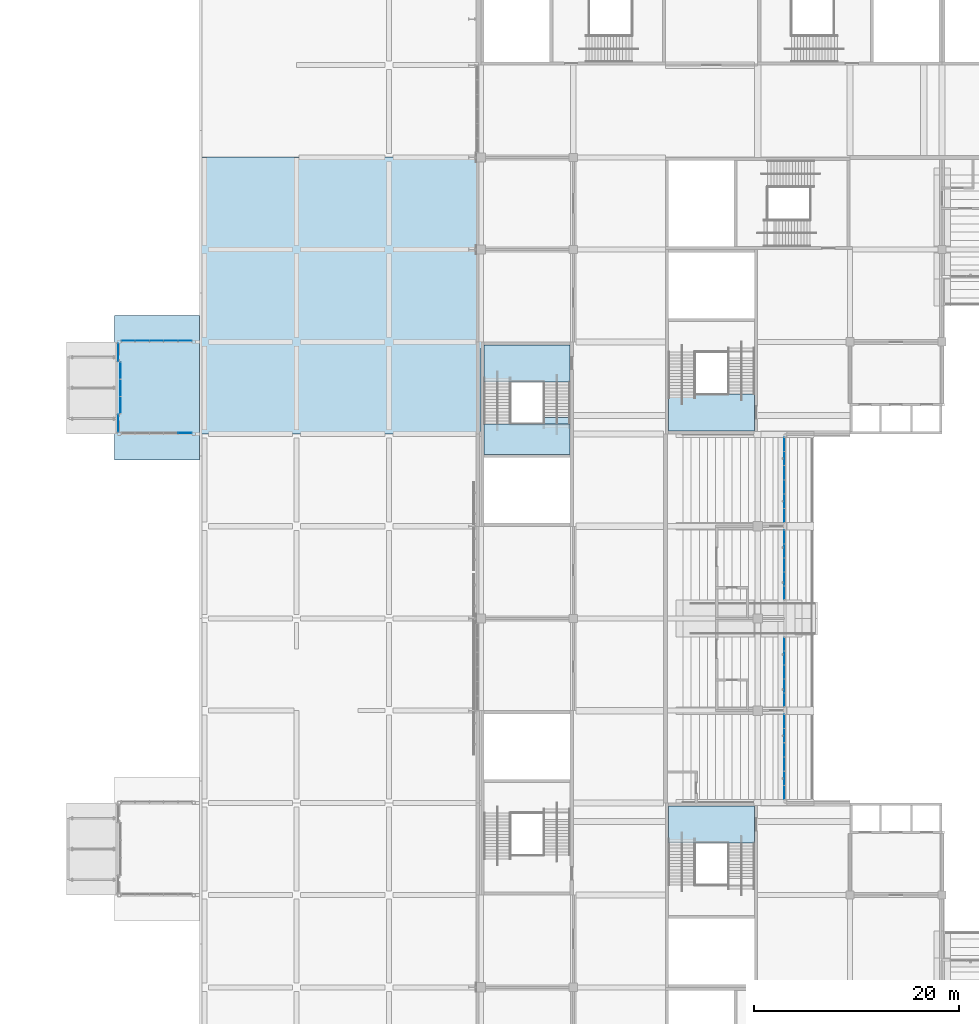
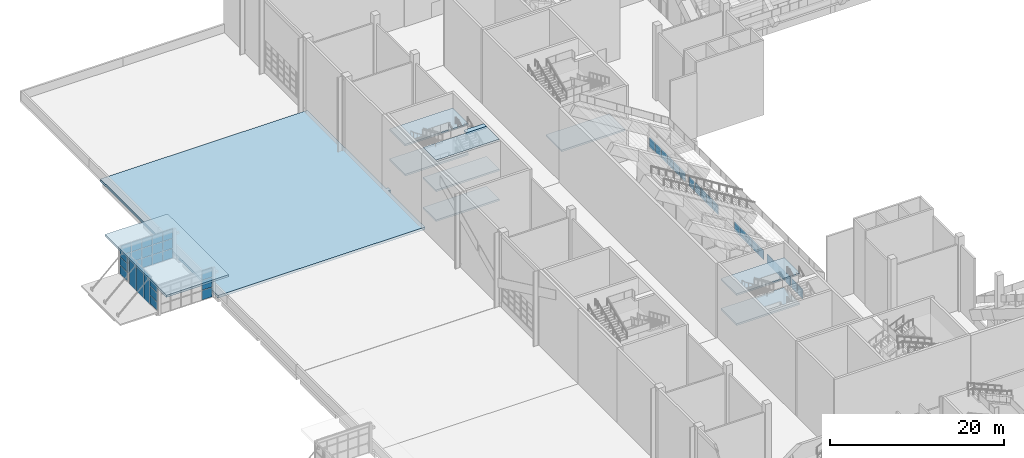
# One storey, part 70 of 182: 49 plates, 11 slabs, 12 elements without a shape of their own.
"""IFC4 building model written with IfcOpenShell, lengths in metres."""

from ifc_helpers import new_model, si_unit, direction, frame, origin, origin_2d, place, context, subcontext, project, spatial, polyline, rectangle, outline, extrude, material, layer, layer_set, type_object, element, aggregate, save


model = new_model("IFC4")

# Units and contexts
model_context = context("Model", 3, precision=1e-05, world=origin(), true_north=direction((0.0, 1.0)))
body_context = subcontext(model_context, "Body", "Model", "MODEL_VIEW")
ifc_project = project(units=[si_unit("LENGTHUNIT", "METRE"), si_unit("AREAUNIT", "SQUARE_METRE"), si_unit("VOLUMEUNIT", "CUBIC_METRE"), si_unit("PLANEANGLEUNIT", "RADIAN"), si_unit("MASSUNIT", "GRAM", prefix="KILO")], contexts=[model_context])

# Site, building, storey
site_placement = place(None, origin())
site = spatial("IfcSite", under=ifc_project, at=site_placement, CompositionType="ELEMENT")
building_placement = place(site_placement, origin())
building = spatial("IfcBuilding", under=site, at=building_placement, Name="Silverbay Arena", CompositionType="ELEMENT")
storey_placement = place(building_placement, frame((0.0, 0.0, 11.5)))
storey = spatial("IfcBuildingStorey", under=building, at=storey_placement, Name="L02", CompositionType="ELEMENT", Elevation=11.5)

# Curtain wall, plates
ifc_material_1 = material(Name="Fire-resisting glass", Category="glass")
curtain_wall_type_1 = type_object("IfcCurtainWallType", Name="Fire-resisting glazed screen EI 120 8350 x 1437", PredefinedType="NOTDEFINED", material=ifc_material_1)
curtain_wall_1_placement = place(storey_placement, origin())
curtain_wall_1 = element("IfcCurtainWall", 1, at=curtain_wall_1_placement, inside=storey, type_object=curtain_wall_type_1, Name="West suite front 1", PredefinedType="NOTDEFINED")
ifc_material_2 = material(Name="Laminated glass", Category="glass")
ifc_layer_1 = layer(ifc_material_2, 0.02392578125)
ifc_layer_set_1 = layer_set([ifc_layer_1], Name="Laminated glass")
plate_type_1 = type_object("IfcPlateType", Name="Glass panel 24", PredefinedType="CURTAIN_PANEL", material=ifc_layer_set_1)
plate_1_placement = place(storey_placement, frame((83.60009765625, 64.0107421875, 1.150146484375), z_axis=(0.0, 0.0, 1.0), x_axis=(0.0, 1.0, 0.0)))
plate_1 = element("IfcPlate", 2, at=plate_1_placement, type_object=plate_type_1, Name="CW20 panel 1.1", PredefinedType="CURTAIN_PANEL", context=body_context, shape_type="SweptSolid", body=[
    extrude(rectangle(XDim=1.3017578125, YDim=0.02392578125, at=origin_2d()), origin(), (0.0, 0.0, 1.0), 1.3369140625),
])
plate_2_placement = place(storey_placement, frame((83.60009765625, 65.387451171875, 1.150146484375), z_axis=(0.0, 0.0, 1.0), x_axis=(0.0, 1.0, 0.0)))
plate_2 = element("IfcPlate", 3, at=plate_2_placement, type_object=plate_type_1, Name="CW20 panel 2.1", PredefinedType="CURTAIN_PANEL", context=body_context, shape_type="SweptSolid", body=[
    extrude(rectangle(XDim=1.331787109375, YDim=0.02392578125, at=origin_2d()), origin(), (0.0, 0.0, 1.0), 1.3369140625),
])
plate_3_placement = place(storey_placement, frame((83.60009765625, 66.779052734375, 1.150146484375), z_axis=(0.0, 0.0, 1.0), x_axis=(0.0, 1.0, 0.0)))
plate_3 = element("IfcPlate", 4, at=plate_3_placement, type_object=plate_type_1, Name="CW20 panel 3.1", PredefinedType="CURTAIN_PANEL", context=body_context, shape_type="SweptSolid", body=[
    extrude(rectangle(XDim=1.331787109375, YDim=0.02392578125, at=origin_2d()), origin(), (0.0, 0.0, 1.0), 1.3369140625),
])
plate_4_placement = place(storey_placement, frame((83.60009765625, 68.1708984375, 1.150146484375), z_axis=(0.0, 0.0, 1.0), x_axis=(0.0, 1.0, 0.0)))
plate_4 = element("IfcPlate", 5, at=plate_4_placement, type_object=plate_type_1, Name="CW20 panel 4.1", PredefinedType="CURTAIN_PANEL", context=body_context, shape_type="SweptSolid", body=[
    extrude(rectangle(XDim=1.331787109375, YDim=0.02392578125, at=origin_2d()), origin(), (0.0, 0.0, 1.0), 1.3369140625),
])
plate_5_placement = place(storey_placement, frame((83.60009765625, 69.5625, 1.150146484375), z_axis=(0.0, 0.0, 1.0), x_axis=(0.0, 1.0, 0.0)))
plate_5 = element("IfcPlate", 6, at=plate_5_placement, type_object=plate_type_1, Name="CW20 panel 5.1", PredefinedType="CURTAIN_PANEL", context=body_context, shape_type="SweptSolid", body=[
    extrude(rectangle(XDim=1.331787109375, YDim=0.02392578125, at=origin_2d()), origin(), (0.0, 0.0, 1.0), 1.3369140625),
])
plate_6_placement = place(storey_placement, frame((83.60009765625, 70.939208984375, 1.150146484375), z_axis=(0.0, 0.0, 1.0), x_axis=(0.0, 1.0, 0.0)))
plate_6 = element("IfcPlate", 7, at=plate_6_placement, type_object=plate_type_1, Name="CW20 panel 6.1", PredefinedType="CURTAIN_PANEL", context=body_context, shape_type="SweptSolid", body=[
    extrude(rectangle(XDim=1.3017578125, YDim=0.02392578125, at=origin_2d()), origin(), (0.0, 0.0, 1.0), 1.3369140625),
])
aggregate(curtain_wall_1, [plate_1, plate_2, plate_3, plate_4, plate_5, plate_6])

ifc_material_3 = material(Name="Fire-resisting glass", Category="glass")
curtain_wall_type_2 = type_object("IfcCurtainWallType", Name="Fire-resisting glazed screen EI 120 6850 x 1437", PredefinedType="NOTDEFINED", material=ifc_material_3)
curtain_wall_2_placement = place(storey_placement, origin())
curtain_wall_2 = element("IfcCurtainWall", 8, at=curtain_wall_2_placement, inside=storey, type_object=curtain_wall_type_2, Name="West suite front 2", PredefinedType="NOTDEFINED")
plate_7_placement = place(storey_placement, frame((83.60009765625, 73.050048828125, 1.150146484375), z_axis=(0.0, 0.0, 1.0), x_axis=(0.0, 1.0, 0.0)))
plate_7 = element("IfcPlate", 9, at=plate_7_placement, type_object=plate_type_1, Name="CW19 panel 1.1", PredefinedType="CURTAIN_PANEL", context=body_context, shape_type="SweptSolid", body=[
    extrude(rectangle(XDim=1.280029296875, YDim=0.02392578125, at=origin_2d()), origin(), (0.0, 0.0, 1.0), 1.3369140625),
])
plate_8_placement = place(storey_placement, frame((83.60009765625, 74.405029296875, 1.150146484375), z_axis=(0.0, 0.0, 1.0), x_axis=(0.0, 1.0, 0.0)))
plate_8 = element("IfcPlate", 10, at=plate_8_placement, type_object=plate_type_1, Name="CW19 panel 2.1", PredefinedType="CURTAIN_PANEL", context=body_context, shape_type="SweptSolid", body=[
    extrude(rectangle(XDim=1.31005859375, YDim=0.02392578125, at=origin_2d()), origin(), (0.0, 0.0, 1.0), 1.3369140625),
])
plate_9_placement = place(storey_placement, frame((83.60009765625, 75.77490234375, 1.150146484375), z_axis=(0.0, 0.0, 1.0), x_axis=(0.0, 1.0, 0.0)))
plate_9 = element("IfcPlate", 11, at=plate_9_placement, type_object=plate_type_1, Name="CW19 panel 3.1", PredefinedType="CURTAIN_PANEL", context=body_context, shape_type="SweptSolid", body=[
    extrude(rectangle(XDim=1.31005859375, YDim=0.02392578125, at=origin_2d()), origin(), (0.0, 0.0, 1.0), 1.3369140625),
])
plate_10_placement = place(storey_placement, frame((83.60009765625, 77.14501953125, 1.150146484375), z_axis=(0.0, 0.0, 1.0), x_axis=(0.0, 1.0, 0.0)))
plate_10 = element("IfcPlate", 12, at=plate_10_placement, type_object=plate_type_1, Name="CW19 panel 4.1", PredefinedType="CURTAIN_PANEL", context=body_context, shape_type="SweptSolid", body=[
    extrude(rectangle(XDim=1.31005859375, YDim=0.02392578125, at=origin_2d()), origin(), (0.0, 0.0, 1.0), 1.3369140625),
])
plate_11_placement = place(storey_placement, frame((83.60009765625, 78.5, 1.150146484375), z_axis=(0.0, 0.0, 1.0), x_axis=(0.0, 1.0, 0.0)))
plate_11 = element("IfcPlate", 13, at=plate_11_placement, type_object=plate_type_1, Name="CW19 panel 5.1", PredefinedType="CURTAIN_PANEL", context=body_context, shape_type="SweptSolid", body=[
    extrude(rectangle(XDim=1.280029296875, YDim=0.02392578125, at=origin_2d()), origin(), (0.0, 0.0, 1.0), 1.3369140625),
])
aggregate(curtain_wall_2, [plate_7, plate_8, plate_9, plate_10, plate_11])

curtain_wall_3_placement = place(storey_placement, origin())
curtain_wall_3 = element("IfcCurtainWall", 14, at=curtain_wall_3_placement, inside=storey, type_object=curtain_wall_type_2, Name="West suite front 3", PredefinedType="NOTDEFINED")
plate_12_placement = place(storey_placement, frame((83.60009765625, 83.5, 1.150146484375), z_axis=(0.0, 0.0, 1.0), x_axis=(0.0, 1.0, 0.0)))
plate_12 = element("IfcPlate", 15, at=plate_12_placement, type_object=plate_type_1, Name="CW19 panel 1.1", PredefinedType="CURTAIN_PANEL", context=body_context, shape_type="SweptSolid", body=[
    extrude(rectangle(XDim=1.280029296875, YDim=0.02392578125, at=origin_2d()), origin(), (0.0, 0.0, 1.0), 1.3369140625),
])
plate_13_placement = place(storey_placement, frame((83.60009765625, 84.85498046875, 1.150146484375), z_axis=(0.0, 0.0, 1.0), x_axis=(0.0, 1.0, 0.0)))
plate_13 = element("IfcPlate", 16, at=plate_13_placement, type_object=plate_type_1, Name="CW19 panel 2.1", PredefinedType="CURTAIN_PANEL", context=body_context, shape_type="SweptSolid", body=[
    extrude(rectangle(XDim=1.31005859375, YDim=0.02392578125, at=origin_2d()), origin(), (0.0, 0.0, 1.0), 1.3369140625),
])
plate_14_placement = place(storey_placement, frame((83.60009765625, 86.22509765625, 1.150146484375), z_axis=(0.0, 0.0, 1.0), x_axis=(0.0, 1.0, 0.0)))
plate_14 = element("IfcPlate", 17, at=plate_14_placement, type_object=plate_type_1, Name="CW19 panel 3.1", PredefinedType="CURTAIN_PANEL", context=body_context, shape_type="SweptSolid", body=[
    extrude(rectangle(XDim=1.31005859375, YDim=0.02392578125, at=origin_2d()), origin(), (0.0, 0.0, 1.0), 1.3369140625),
])
plate_15_placement = place(storey_placement, frame((83.60009765625, 87.594970703125, 1.150146484375), z_axis=(0.0, 0.0, 1.0), x_axis=(0.0, 1.0, 0.0)))
plate_15 = element("IfcPlate", 18, at=plate_15_placement, type_object=plate_type_1, Name="CW19 panel 4.1", PredefinedType="CURTAIN_PANEL", context=body_context, shape_type="SweptSolid", body=[
    extrude(rectangle(XDim=1.31005859375, YDim=0.02392578125, at=origin_2d()), origin(), (0.0, 0.0, 1.0), 1.3369140625),
])
plate_16_placement = place(storey_placement, frame((83.60009765625, 88.949951171875, 1.150146484375), z_axis=(0.0, 0.0, 1.0), x_axis=(0.0, 1.0, 0.0)))
plate_16 = element("IfcPlate", 19, at=plate_16_placement, type_object=plate_type_1, Name="CW19 panel 5.1", PredefinedType="CURTAIN_PANEL", context=body_context, shape_type="SweptSolid", body=[
    extrude(rectangle(XDim=1.280029296875, YDim=0.02392578125, at=origin_2d()), origin(), (0.0, 0.0, 1.0), 1.3369140625),
])
aggregate(curtain_wall_3, [plate_12, plate_13, plate_14, plate_15, plate_16])

curtain_wall_4_placement = place(storey_placement, origin())
curtain_wall_4 = element("IfcCurtainWall", 20, at=curtain_wall_4_placement, inside=storey, type_object=curtain_wall_type_1, Name="West suite front 4", PredefinedType="NOTDEFINED")
plate_17_placement = place(storey_placement, frame((83.60009765625, 91.060791015625, 1.150146484375), z_axis=(0.0, 0.0, 1.0), x_axis=(0.0, 1.0, 0.0)))
plate_17 = element("IfcPlate", 21, at=plate_17_placement, type_object=plate_type_1, Name="CW20 panel 1.1", PredefinedType="CURTAIN_PANEL", context=body_context, shape_type="SweptSolid", body=[
    extrude(rectangle(XDim=1.3017578125, YDim=0.02392578125, at=origin_2d()), origin(), (0.0, 0.0, 1.0), 1.3369140625),
])
plate_18_placement = place(storey_placement, frame((83.60009765625, 92.4375, 1.150146484375), z_axis=(0.0, 0.0, 1.0), x_axis=(0.0, 1.0, 0.0)))
plate_18 = element("IfcPlate", 22, at=plate_18_placement, type_object=plate_type_1, Name="CW20 panel 2.1", PredefinedType="CURTAIN_PANEL", context=body_context, shape_type="SweptSolid", body=[
    extrude(rectangle(XDim=1.331787109375, YDim=0.02392578125, at=origin_2d()), origin(), (0.0, 0.0, 1.0), 1.3369140625),
])
plate_19_placement = place(storey_placement, frame((83.60009765625, 93.8291015625, 1.150146484375), z_axis=(0.0, 0.0, 1.0), x_axis=(0.0, 1.0, 0.0)))
plate_19 = element("IfcPlate", 23, at=plate_19_placement, type_object=plate_type_1, Name="CW20 panel 3.1", PredefinedType="CURTAIN_PANEL", context=body_context, shape_type="SweptSolid", body=[
    extrude(rectangle(XDim=1.331787109375, YDim=0.02392578125, at=origin_2d()), origin(), (0.0, 0.0, 1.0), 1.3369140625),
])
plate_20_placement = place(storey_placement, frame((83.60009765625, 95.220947265625, 1.150146484375), z_axis=(0.0, 0.0, 1.0), x_axis=(0.0, 1.0, 0.0)))
plate_20 = element("IfcPlate", 24, at=plate_20_placement, type_object=plate_type_1, Name="CW20 panel 4.1", PredefinedType="CURTAIN_PANEL", context=body_context, shape_type="SweptSolid", body=[
    extrude(rectangle(XDim=1.331787109375, YDim=0.02392578125, at=origin_2d()), origin(), (0.0, 0.0, 1.0), 1.3369140625),
])
plate_21_placement = place(storey_placement, frame((83.60009765625, 96.612548828125, 1.150146484375), z_axis=(0.0, 0.0, 1.0), x_axis=(0.0, 1.0, 0.0)))
plate_21 = element("IfcPlate", 25, at=plate_21_placement, type_object=plate_type_1, Name="CW20 panel 5.1", PredefinedType="CURTAIN_PANEL", context=body_context, shape_type="SweptSolid", body=[
    extrude(rectangle(XDim=1.331787109375, YDim=0.02392578125, at=origin_2d()), origin(), (0.0, 0.0, 1.0), 1.3369140625),
])
plate_22_placement = place(storey_placement, frame((83.60009765625, 97.9892578125, 1.150146484375), z_axis=(0.0, 0.0, 1.0), x_axis=(0.0, 1.0, 0.0)))
plate_22 = element("IfcPlate", 26, at=plate_22_placement, type_object=plate_type_1, Name="CW20 panel 6.1", PredefinedType="CURTAIN_PANEL", context=body_context, shape_type="SweptSolid", body=[
    extrude(rectangle(XDim=1.3017578125, YDim=0.02392578125, at=origin_2d()), origin(), (0.0, 0.0, 1.0), 1.3369140625),
])
aggregate(curtain_wall_4, [plate_17, plate_18, plate_19, plate_20, plate_21, plate_22])

ifc_material_4 = material(Name="Aluminium framed curtain wall", Category="aluminium")
curtain_wall_type_3 = type_object("IfcCurtainWallType", Name="Curtain wall 1800 x 3700", PredefinedType="NOTDEFINED", material=ifc_material_4)
curtain_wall_5_placement = place(storey_placement, origin())
curtain_wall_5 = element("IfcCurtainWall", 27, at=curtain_wall_5_placement, inside=storey, type_object=curtain_wall_type_3, Name="West entrance hall W1 glazing F0a", PredefinedType="NOTDEFINED")
ifc_material_5 = material(Name="Laminated glass", Category="glass")
ifc_layer_2 = layer(ifc_material_5, 0.028076171875)
ifc_layer_set_2 = layer_set([ifc_layer_2], Name="Laminated glass")
plate_type_2 = type_object("IfcPlateType", Name="Glass panel 28", PredefinedType="CURTAIN_PANEL", material=ifc_layer_set_2)
plate_23_placement = place(storey_placement, frame((18.590087890625, 100.050048828125, 0.5498046875), z_axis=(0.0, 0.0, 1.0), x_axis=(0.0, 1.0, 0.0)))
plate_23 = element("IfcPlate", 28, at=plate_23_placement, type_object=plate_type_2, Name="CW50 panel 1.1", PredefinedType="CURTAIN_PANEL", context=body_context, shape_type="SweptSolid", body=[
    extrude(rectangle(XDim=1.679931640625, YDim=0.028076171875, at=origin_2d()), origin(), (0.0, 0.0, 1.0), 1.158447265625),
])
plate_24_placement = place(storey_placement, frame((18.590087890625, 100.050048828125, 1.75830078125), z_axis=(0.0, 0.0, 1.0), x_axis=(0.0, 1.0, 0.0)))
plate_24 = element("IfcPlate", 29, at=plate_24_placement, type_object=plate_type_2, Name="CW50 panel 1.2", PredefinedType="CURTAIN_PANEL", context=body_context, shape_type="SweptSolid", body=[
    extrude(rectangle(XDim=1.679931640625, YDim=0.028076171875, at=origin_2d()), origin(), (0.0, 0.0, 1.0), 1.183349609375),
])
plate_25_placement = place(storey_placement, frame((18.590087890625, 100.050048828125, 2.99169921875), z_axis=(0.0, 0.0, 1.0), x_axis=(0.0, 1.0, 0.0)))
plate_25 = element("IfcPlate", 30, at=plate_25_placement, type_object=plate_type_2, Name="CW50 panel 1.3", PredefinedType="CURTAIN_PANEL", context=body_context, shape_type="SweptSolid", body=[
    extrude(rectangle(XDim=1.679931640625, YDim=0.028076171875, at=origin_2d()), origin(), (0.0, 0.0, 1.0), 1.158447265625),
])
aggregate(curtain_wall_5, [plate_23, plate_24, plate_25])

curtain_wall_6_placement = place(storey_placement, origin())
curtain_wall_6 = element("IfcCurtainWall", 31, at=curtain_wall_6_placement, inside=storey, type_object=curtain_wall_type_3, Name="West entrance hall W1 glazing F0b", PredefinedType="NOTDEFINED")
plate_26_placement = place(storey_placement, frame((18.590087890625, 106.949951171875, 0.5498046875), z_axis=(0.0, 0.0, 1.0), x_axis=(0.0, 1.0, 0.0)))
plate_26 = element("IfcPlate", 32, at=plate_26_placement, type_object=plate_type_2, Name="CW50 panel 1.1", PredefinedType="CURTAIN_PANEL", context=body_context, shape_type="SweptSolid", body=[
    extrude(rectangle(XDim=1.679931640625, YDim=0.028076171875, at=origin_2d()), origin(), (0.0, 0.0, 1.0), 1.158447265625),
])
plate_27_placement = place(storey_placement, frame((18.590087890625, 106.949951171875, 1.75830078125), z_axis=(0.0, 0.0, 1.0), x_axis=(0.0, 1.0, 0.0)))
plate_27 = element("IfcPlate", 33, at=plate_27_placement, type_object=plate_type_2, Name="CW50 panel 1.2", PredefinedType="CURTAIN_PANEL", context=body_context, shape_type="SweptSolid", body=[
    extrude(rectangle(XDim=1.679931640625, YDim=0.028076171875, at=origin_2d()), origin(), (0.0, 0.0, 1.0), 1.183349609375),
])
plate_28_placement = place(storey_placement, frame((18.590087890625, 106.949951171875, 2.99169921875), z_axis=(0.0, 0.0, 1.0), x_axis=(0.0, 1.0, 0.0)))
plate_28 = element("IfcPlate", 34, at=plate_28_placement, type_object=plate_type_2, Name="CW50 panel 1.3", PredefinedType="CURTAIN_PANEL", context=body_context, shape_type="SweptSolid", body=[
    extrude(rectangle(XDim=1.679931640625, YDim=0.028076171875, at=origin_2d()), origin(), (0.0, 0.0, 1.0), 1.158447265625),
])
aggregate(curtain_wall_6, [plate_26, plate_27, plate_28])

ifc_material_6 = material(Name="Aluminium framed curtain wall", Category="aluminium")
curtain_wall_type_4 = type_object("IfcCurtainWallType", Name="Curtain wall 6950 x 4200", PredefinedType="NOTDEFINED", material=ifc_material_6)
curtain_wall_7_placement = place(storey_placement, origin())
curtain_wall_7 = element("IfcCurtainWall", 35, at=curtain_wall_7_placement, inside=storey, type_object=curtain_wall_type_4, Name="West entrance hall W1 glazing SA", PredefinedType="NOTDEFINED")
plate_29_placement = place(storey_placement, frame((25.090087890625, 99.110107421875, 0.0498046875), z_axis=(0.0, 0.0, 1.0), x_axis=(1.0, 0.0, 0.0)))
plate_29 = element("IfcPlate", 36, at=plate_29_placement, type_object=plate_type_2, Name="CW52 panel 5.1", PredefinedType="CURTAIN_PANEL", context=body_context, shape_type="SweptSolid", body=[
    extrude(rectangle(XDim=1.300048828125, YDim=0.028076171875, at=origin_2d()), origin(), (0.0, 0.0, 1.0), 1.324951171875),
])
plate_30_placement = place(storey_placement, frame((25.090087890625, 99.110107421875, 1.425048828125), z_axis=(0.0, 0.0, 1.0), x_axis=(1.0, 0.0, 0.0)))
plate_30 = element("IfcPlate", 37, at=plate_30_placement, type_object=plate_type_2, Name="CW52 panel 5.2", PredefinedType="CURTAIN_PANEL", context=body_context, shape_type="SweptSolid", body=[
    extrude(rectangle(XDim=1.300048828125, YDim=0.028076171875, at=origin_2d()), origin(), (0.0, 0.0, 1.0), 1.35009765625),
])
plate_31_placement = place(storey_placement, frame((25.090087890625, 99.110107421875, 2.8251953125), z_axis=(0.0, 0.0, 1.0), x_axis=(1.0, 0.0, 0.0)))
plate_31 = element("IfcPlate", 38, at=plate_31_placement, type_object=plate_type_2, Name="CW52 panel 5.3", PredefinedType="CURTAIN_PANEL", context=body_context, shape_type="SweptSolid", body=[
    extrude(rectangle(XDim=1.300048828125, YDim=0.028076171875, at=origin_2d()), origin(), (0.0, 0.0, 1.0), 1.324951171875),
])
aggregate(curtain_wall_7, [plate_29, plate_30, plate_31])

curtain_wall_8_placement = place(storey_placement, origin())
curtain_wall_8 = element("IfcCurtainWall", 39, at=curtain_wall_8_placement, inside=storey, type_object=curtain_wall_type_4, Name="West entrance hall W1 glazing SB", PredefinedType="NOTDEFINED")
plate_32_placement = place(storey_placement, frame((19.56005859375, 108.110107421875, 0.0498046875), z_axis=(0.0, 0.0, 1.0), x_axis=(1.0, 0.0, 0.0)))
plate_32 = element("IfcPlate", 40, at=plate_32_placement, type_object=plate_type_2, Name="CW52 panel 1.1", PredefinedType="CURTAIN_PANEL", context=body_context, shape_type="SweptSolid", body=[
    extrude(rectangle(XDim=1.300048828125, YDim=0.028076171875, at=origin_2d()), origin(), (0.0, 0.0, 1.0), 1.324951171875),
])
plate_33_placement = place(storey_placement, frame((19.56005859375, 108.110107421875, 1.425048828125), z_axis=(0.0, 0.0, 1.0), x_axis=(1.0, 0.0, 0.0)))
plate_33 = element("IfcPlate", 41, at=plate_33_placement, type_object=plate_type_2, Name="CW52 panel 1.2", PredefinedType="CURTAIN_PANEL", context=body_context, shape_type="SweptSolid", body=[
    extrude(rectangle(XDim=1.300048828125, YDim=0.028076171875, at=origin_2d()), origin(), (0.0, 0.0, 1.0), 1.35009765625),
])
plate_34_placement = place(storey_placement, frame((19.56005859375, 108.110107421875, 2.8251953125), z_axis=(0.0, 0.0, 1.0), x_axis=(1.0, 0.0, 0.0)))
plate_34 = element("IfcPlate", 42, at=plate_34_placement, type_object=plate_type_2, Name="CW52 panel 1.3", PredefinedType="CURTAIN_PANEL", context=body_context, shape_type="SweptSolid", body=[
    extrude(rectangle(XDim=1.300048828125, YDim=0.028076171875, at=origin_2d()), origin(), (0.0, 0.0, 1.0), 1.324951171875),
])
plate_35_placement = place(storey_placement, frame((20.93505859375, 108.110107421875, 0.0498046875), z_axis=(0.0, 0.0, 1.0), x_axis=(1.0, 0.0, 0.0)))
plate_35 = element("IfcPlate", 43, at=plate_35_placement, type_object=plate_type_2, Name="CW52 panel 2.1", PredefinedType="CURTAIN_PANEL", context=body_context, shape_type="SweptSolid", body=[
    extrude(rectangle(XDim=1.330078125, YDim=0.028076171875, at=origin_2d()), origin(), (0.0, 0.0, 1.0), 1.324951171875),
])
plate_36_placement = place(storey_placement, frame((20.93505859375, 108.110107421875, 1.425048828125), z_axis=(0.0, 0.0, 1.0), x_axis=(1.0, 0.0, 0.0)))
plate_36 = element("IfcPlate", 44, at=plate_36_placement, type_object=plate_type_2, Name="CW52 panel 2.2", PredefinedType="CURTAIN_PANEL", context=body_context, shape_type="SweptSolid", body=[
    extrude(rectangle(XDim=1.330078125, YDim=0.028076171875, at=origin_2d()), origin(), (0.0, 0.0, 1.0), 1.35009765625),
])
plate_37_placement = place(storey_placement, frame((20.93505859375, 108.110107421875, 2.8251953125), z_axis=(0.0, 0.0, 1.0), x_axis=(1.0, 0.0, 0.0)))
plate_37 = element("IfcPlate", 45, at=plate_37_placement, type_object=plate_type_2, Name="CW52 panel 2.3", PredefinedType="CURTAIN_PANEL", context=body_context, shape_type="SweptSolid", body=[
    extrude(rectangle(XDim=1.330078125, YDim=0.028076171875, at=origin_2d()), origin(), (0.0, 0.0, 1.0), 1.324951171875),
])
plate_38_placement = place(storey_placement, frame((22.324951171875, 108.110107421875, 0.0498046875), z_axis=(0.0, 0.0, 1.0), x_axis=(1.0, 0.0, 0.0)))
plate_38 = element("IfcPlate", 46, at=plate_38_placement, type_object=plate_type_2, Name="CW52 panel 3.1", PredefinedType="CURTAIN_PANEL", context=body_context, shape_type="SweptSolid", body=[
    extrude(rectangle(XDim=1.330078125, YDim=0.028076171875, at=origin_2d()), origin(), (0.0, 0.0, 1.0), 1.324951171875),
])
plate_39_placement = place(storey_placement, frame((22.324951171875, 108.110107421875, 1.425048828125), z_axis=(0.0, 0.0, 1.0), x_axis=(1.0, 0.0, 0.0)))
plate_39 = element("IfcPlate", 47, at=plate_39_placement, type_object=plate_type_2, Name="CW52 panel 3.2", PredefinedType="CURTAIN_PANEL", context=body_context, shape_type="SweptSolid", body=[
    extrude(rectangle(XDim=1.330078125, YDim=0.028076171875, at=origin_2d()), origin(), (0.0, 0.0, 1.0), 1.35009765625),
])
plate_40_placement = place(storey_placement, frame((22.324951171875, 108.110107421875, 2.8251953125), z_axis=(0.0, 0.0, 1.0), x_axis=(1.0, 0.0, 0.0)))
plate_40 = element("IfcPlate", 48, at=plate_40_placement, type_object=plate_type_2, Name="CW52 panel 3.3", PredefinedType="CURTAIN_PANEL", context=body_context, shape_type="SweptSolid", body=[
    extrude(rectangle(XDim=1.330078125, YDim=0.028076171875, at=origin_2d()), origin(), (0.0, 0.0, 1.0), 1.324951171875),
])
plate_41_placement = place(storey_placement, frame((23.715087890625, 108.110107421875, 0.0498046875), z_axis=(0.0, 0.0, 1.0), x_axis=(1.0, 0.0, 0.0)))
plate_41 = element("IfcPlate", 49, at=plate_41_placement, type_object=plate_type_2, Name="CW52 panel 4.1", PredefinedType="CURTAIN_PANEL", context=body_context, shape_type="SweptSolid", body=[
    extrude(rectangle(XDim=1.330078125, YDim=0.028076171875, at=origin_2d()), origin(), (0.0, 0.0, 1.0), 1.324951171875),
])
plate_42_placement = place(storey_placement, frame((23.715087890625, 108.110107421875, 1.425048828125), z_axis=(0.0, 0.0, 1.0), x_axis=(1.0, 0.0, 0.0)))
plate_42 = element("IfcPlate", 50, at=plate_42_placement, type_object=plate_type_2, Name="CW52 panel 4.2", PredefinedType="CURTAIN_PANEL", context=body_context, shape_type="SweptSolid", body=[
    extrude(rectangle(XDim=1.330078125, YDim=0.028076171875, at=origin_2d()), origin(), (0.0, 0.0, 1.0), 1.35009765625),
])
plate_43_placement = place(storey_placement, frame((23.715087890625, 108.110107421875, 2.8251953125), z_axis=(0.0, 0.0, 1.0), x_axis=(1.0, 0.0, 0.0)))
plate_43 = element("IfcPlate", 51, at=plate_43_placement, type_object=plate_type_2, Name="CW52 panel 4.3", PredefinedType="CURTAIN_PANEL", context=body_context, shape_type="SweptSolid", body=[
    extrude(rectangle(XDim=1.330078125, YDim=0.028076171875, at=origin_2d()), origin(), (0.0, 0.0, 1.0), 1.324951171875),
])
plate_44_placement = place(storey_placement, frame((25.090087890625, 108.110107421875, 0.0498046875), z_axis=(0.0, 0.0, 1.0), x_axis=(1.0, 0.0, 0.0)))
plate_44 = element("IfcPlate", 52, at=plate_44_placement, type_object=plate_type_2, Name="CW52 panel 5.1", PredefinedType="CURTAIN_PANEL", context=body_context, shape_type="SweptSolid", body=[
    extrude(rectangle(XDim=1.300048828125, YDim=0.028076171875, at=origin_2d()), origin(), (0.0, 0.0, 1.0), 1.324951171875),
])
plate_45_placement = place(storey_placement, frame((25.090087890625, 108.110107421875, 1.425048828125), z_axis=(0.0, 0.0, 1.0), x_axis=(1.0, 0.0, 0.0)))
plate_45 = element("IfcPlate", 53, at=plate_45_placement, type_object=plate_type_2, Name="CW52 panel 5.2", PredefinedType="CURTAIN_PANEL", context=body_context, shape_type="SweptSolid", body=[
    extrude(rectangle(XDim=1.300048828125, YDim=0.028076171875, at=origin_2d()), origin(), (0.0, 0.0, 1.0), 1.35009765625),
])
plate_46_placement = place(storey_placement, frame((25.090087890625, 108.110107421875, 2.8251953125), z_axis=(0.0, 0.0, 1.0), x_axis=(1.0, 0.0, 0.0)))
plate_46 = element("IfcPlate", 54, at=plate_46_placement, type_object=plate_type_2, Name="CW52 panel 5.3", PredefinedType="CURTAIN_PANEL", context=body_context, shape_type="SweptSolid", body=[
    extrude(rectangle(XDim=1.300048828125, YDim=0.028076171875, at=origin_2d()), origin(), (0.0, 0.0, 1.0), 1.324951171875),
])
aggregate(curtain_wall_8, [plate_32, plate_33, plate_34, plate_35, plate_36, plate_37, plate_38, plate_39, plate_40, plate_41, plate_42, plate_43, plate_44, plate_45, plate_46])

ifc_material_7 = material(Name="Aluminium framed curtain wall", Category="aluminium")
curtain_wall_type_5 = type_object("IfcCurtainWallType", Name="Curtain wall 5100 x 4200", PredefinedType="NOTDEFINED", material=ifc_material_7)
curtain_wall_9_placement = place(storey_placement, origin())
curtain_wall_9 = element("IfcCurtainWall", 55, at=curtain_wall_9_placement, inside=storey, type_object=curtain_wall_type_5, Name="West entrance hall W1 glazing over the door", PredefinedType="NOTDEFINED")
plate_47_placement = place(storey_placement, frame((18.81005859375, 105.18505859375, 0.050048828125), z_axis=(0.0, 0.0, 1.0), x_axis=(0.0, -1.0, 0.0)))
plate_47 = element("IfcPlate", 56, at=plate_47_placement, type_object=plate_type_2, Name="CW53 panel 1.1", PredefinedType="CURTAIN_PANEL", context=body_context, shape_type="SweptSolid", body=[
    extrude(rectangle(XDim=1.610107421875, YDim=0.028076171875, at=origin_2d()), origin(), (0.0, 0.0, 1.0), 4.10009765625),
])
plate_48_placement = place(storey_placement, frame((18.81005859375, 103.5, 0.050048828125), z_axis=(0.0, 0.0, 1.0), x_axis=(0.0, -1.0, 0.0)))
plate_48 = element("IfcPlate", 57, at=plate_48_placement, type_object=plate_type_2, Name="CW53 panel 2.1", PredefinedType="CURTAIN_PANEL", context=body_context, shape_type="SweptSolid", body=[
    extrude(rectangle(XDim=1.639892578125, YDim=0.028076171875, at=origin_2d()), origin(), (0.0, 0.0, 1.0), 4.10009765625),
])
plate_49_placement = place(storey_placement, frame((18.81005859375, 101.81494140625, 0.050048828125), z_axis=(0.0, 0.0, 1.0), x_axis=(0.0, -1.0, 0.0)))
plate_49 = element("IfcPlate", 58, at=plate_49_placement, type_object=plate_type_2, Name="CW53 panel 3.1", PredefinedType="CURTAIN_PANEL", context=body_context, shape_type="SweptSolid", body=[
    extrude(rectangle(XDim=1.610107421875, YDim=0.028076171875, at=origin_2d()), origin(), (0.0, 0.0, 1.0), 4.10009765625),
])
aggregate(curtain_wall_9, [plate_47, plate_48, plate_49])

# Slabs
ifc_material_8 = material(Name="Concrete Grade C45", Category="concrete")
ifc_layer_3 = layer(ifc_material_8, 0.300048828125)
ifc_layer_set_3 = layer_set([ifc_layer_3], Name="Concrete Grade C45")
slab_type_1 = type_object("IfcSlabType", Name="Hall roof slab 300", PredefinedType="ROOF", material=ifc_layer_set_3)
slab_1_placement = place(storey_placement, frame((0.0, 0.0, 4.199951171875)))
element("IfcSlab", 59, at=slab_1_placement, inside=storey, type_object=slab_type_1, Name="West entrance hall W1 roof", PredefinedType="ROOF", context=body_context, shape_type="SweptSolid", body=[
    extrude(outline(polyline([(26.5, 96.449951171875), (26.5, 110.550048828125), (18.199951171875, 110.550048828125), (18.199951171875, 96.449951171875), (26.5, 96.449951171875)])), origin(), (0.0, 0.0, 1.0), 0.300048828125),
])
ifc_material_9 = material(Name="Concrete Grade C45", Category="concrete")
ifc_layer_4 = layer(ifc_material_9, 0.35009765625)
ifc_layer_set_4 = layer_set([ifc_layer_4], Name="Concrete Grade C45")
slab_type_2 = type_object("IfcSlabType", Name="RC roof slab 350", PredefinedType="ROOF", material=ifc_layer_set_4)
slab_2_placement = place(storey_placement, frame((0.0, 0.0, -0.35009765625)))
element("IfcSlab", 60, at=slab_2_placement, inside=storey, type_object=slab_type_2, Name="Roof slab L02 unit 7", PredefinedType="ROOF", context=body_context, shape_type="SweptSolid", body=[
    extrude(outline(polyline([(54.300048828125, 107.39990234375), (54.0, 107.39990234375), (54.0, 99.0), (26.5, 99.0), (26.5, 126.02490234375), (54.0, 126.02490234375), (54.0, 108.0), (54.300048828125, 108.0), (54.300048828125, 107.39990234375)])), origin(), (0.0, 0.0, 1.0), 0.35009765625),
])

# Stair, slabs
ifc_material_10 = material(Name="Concrete Grade C45", Category="concrete")
stair_type = type_object("IfcStairType", Name="Stair 2600 wide 80 risers 131.2 x 300", PredefinedType="HALF_TURN_STAIR", material=ifc_material_10)
stair_1_placement = place(storey_placement, origin())
stair_1 = element("IfcStair", 61, at=stair_1_placement, inside=storey, type_object=stair_type, Name="Stair ST-W2 L02 to L03", PredefinedType="HALF_TURN_STAIR")
ifc_material_11 = material(Name="Concrete Grade C45", Category="concrete")
ifc_layer_5 = layer(ifc_material_11, 0.25)
ifc_layer_set_5 = layer_set([ifc_layer_5], Name="Concrete Grade C45")
slab_type_3 = type_object("IfcSlabType", Name="Stair arrival platform RC 250", PredefinedType="FLOOR", material=ifc_layer_set_5)
slab_3_placement = place(storey_placement, frame((0.0, 0.0, 10.25)))
slab_3 = element("IfcSlab", 62, at=slab_3_placement, type_object=slab_type_3, Name="Stair ST-W2 L02 to L03 arrival platform 6", PredefinedType="FLOOR", context=body_context, shape_type="SweptSolid", body=[
    extrude(outline(polyline([(62.699951171875, 100.60009765625), (62.699951171875, 99.97412109375), (60.10009765625, 99.97412109375), (60.10009765625, 100.60009765625), (62.699951171875, 100.60009765625)])), origin(), (0.0, 0.0, 1.0), 0.25),
])
ifc_material_12 = material(Name="Concrete Grade C45", Category="concrete")
ifc_layer_6 = layer(ifc_material_12, 0.25)
ifc_layer_set_6 = layer_set([ifc_layer_6], Name="Concrete Grade C45")
slab_type_4 = type_object("IfcSlabType", Name="Stair landing RC 250", PredefinedType="LANDING", material=ifc_layer_set_6)
slab_4_placement = place(storey_placement, frame((0.0, 0.0, 1.85009765625)))
slab_4 = element("IfcSlab", 63, at=slab_4_placement, type_object=slab_type_4, Name="Stair ST-W2 L02 to L03 landing 1", PredefinedType="LANDING", context=body_context, shape_type="SweptSolid", body=[
    extrude(outline(polyline([(62.699951171875, 99.97412109375), (62.699951171875, 97.0), (54.300048828125, 97.0), (54.300048828125, 99.97412109375), (62.699951171875, 99.97412109375)])), origin(), (0.0, 0.0, 1.0), 0.25),
])
slab_5_placement = place(storey_placement, frame((0.0, 0.0, 3.949951171875)))
slab_5 = element("IfcSlab", 64, at=slab_5_placement, type_object=slab_type_4, Name="Stair ST-W2 L02 to L03 landing 2", PredefinedType="LANDING", context=body_context, shape_type="SweptSolid", body=[
    extrude(outline(polyline([(62.699951171875, 107.699951171875), (62.699951171875, 104.10009765625), (54.300048828125, 104.10009765625), (54.300048828125, 107.699951171875), (62.699951171875, 107.699951171875)])), origin(), (0.0, 0.0, 1.0), 0.25),
])
slab_6_placement = place(storey_placement, frame((0.0, 0.0, 6.050048828125)))
slab_6 = element("IfcSlab", 65, at=slab_6_placement, type_object=slab_type_4, Name="Stair ST-W2 L02 to L03 landing 3", PredefinedType="LANDING", context=body_context, shape_type="SweptSolid", body=[
    extrude(outline(polyline([(62.699951171875, 99.97412109375), (62.699951171875, 97.0), (54.300048828125, 97.0), (54.300048828125, 99.97412109375), (62.699951171875, 99.97412109375)])), origin(), (0.0, 0.0, 1.0), 0.25),
])
slab_7_placement = place(storey_placement, frame((0.0, 0.0, 8.14990234375)))
slab_7 = element("IfcSlab", 66, at=slab_7_placement, type_object=slab_type_4, Name="Stair ST-W2 L02 to L03 landing 4", PredefinedType="LANDING", context=body_context, shape_type="SweptSolid", body=[
    extrude(outline(polyline([(62.699951171875, 107.699951171875), (62.699951171875, 104.10009765625), (54.300048828125, 104.10009765625), (54.300048828125, 107.699951171875), (62.699951171875, 107.699951171875)])), origin(), (0.0, 0.0, 1.0), 0.25),
])
slab_8_placement = place(storey_placement, frame((0.0, 0.0, 10.25)))
slab_8 = element("IfcSlab", 67, at=slab_8_placement, type_object=slab_type_4, Name="Stair ST-W2 L02 to L03 landing 5", PredefinedType="LANDING", context=body_context, shape_type="SweptSolid", body=[
    extrude(outline(polyline([(62.699951171875, 99.97412109375), (62.699951171875, 97.0), (54.300048828125, 97.0), (54.300048828125, 99.97412109375), (62.699951171875, 99.97412109375)])), origin(), (0.0, 0.0, 1.0), 0.25),
])
aggregate(stair_1, [slab_4, slab_5, slab_6, slab_7, slab_8, slab_3])

stair_2_placement = place(storey_placement, origin())
stair_2 = element("IfcStair", 68, at=stair_2_placement, inside=storey, type_object=stair_type, Name="Stair ST-SW2 L02 to L03", PredefinedType="HALF_TURN_STAIR")
slab_9_placement = place(storey_placement, frame((0.0, 0.0, 3.949951171875)))
slab_9 = element("IfcSlab", 69, at=slab_9_placement, type_object=slab_type_4, Name="Stair ST-SW2 L02 to L03 landing 2", PredefinedType="LANDING", context=body_context, shape_type="SweptSolid", body=[
    extrude(outline(polyline([(80.699951171875, 62.699951171875), (80.699951171875, 59.10009765625), (72.300048828125, 59.10009765625), (72.300048828125, 62.699951171875), (80.699951171875, 62.699951171875)])), origin(), (0.0, 0.0, 1.0), 0.25),
])
slab_10_placement = place(storey_placement, frame((0.0, 0.0, 8.14990234375)))
slab_10 = element("IfcSlab", 70, at=slab_10_placement, type_object=slab_type_4, Name="Stair ST-SW2 L02 to L03 landing 4", PredefinedType="LANDING", context=body_context, shape_type="SweptSolid", body=[
    extrude(outline(polyline([(80.699951171875, 62.699951171875), (80.699951171875, 59.10009765625), (72.300048828125, 59.10009765625), (72.300048828125, 62.699951171875), (80.699951171875, 62.699951171875)])), origin(), (0.0, 0.0, 1.0), 0.25),
])
aggregate(stair_2, [slab_9, slab_10])

# Stair, slab
stair_3_placement = place(storey_placement, origin())
stair_3 = element("IfcStair", 71, at=stair_3_placement, inside=storey, type_object=stair_type, Name="Stair ST-NW2 L02 to L03", PredefinedType="HALF_TURN_STAIR")
slab_11_placement = place(storey_placement, frame((0.0, 0.0, 3.949951171875)))
slab_11 = element("IfcSlab", 72, at=slab_11_placement, type_object=slab_type_4, Name="Stair ST-NW2 L02 to L03 landing 2", PredefinedType="LANDING", context=body_context, shape_type="SweptSolid", body=[
    extrude(outline(polyline([(80.699951171875, 99.300048828125), (80.699951171875, 102.89990234375), (72.300048828125, 102.89990234375), (72.300048828125, 99.300048828125), (80.699951171875, 99.300048828125)])), origin(), (0.0, 0.0, 1.0), 0.25),
])
aggregate(stair_3, [slab_11])

save(model, "model.ifc")
